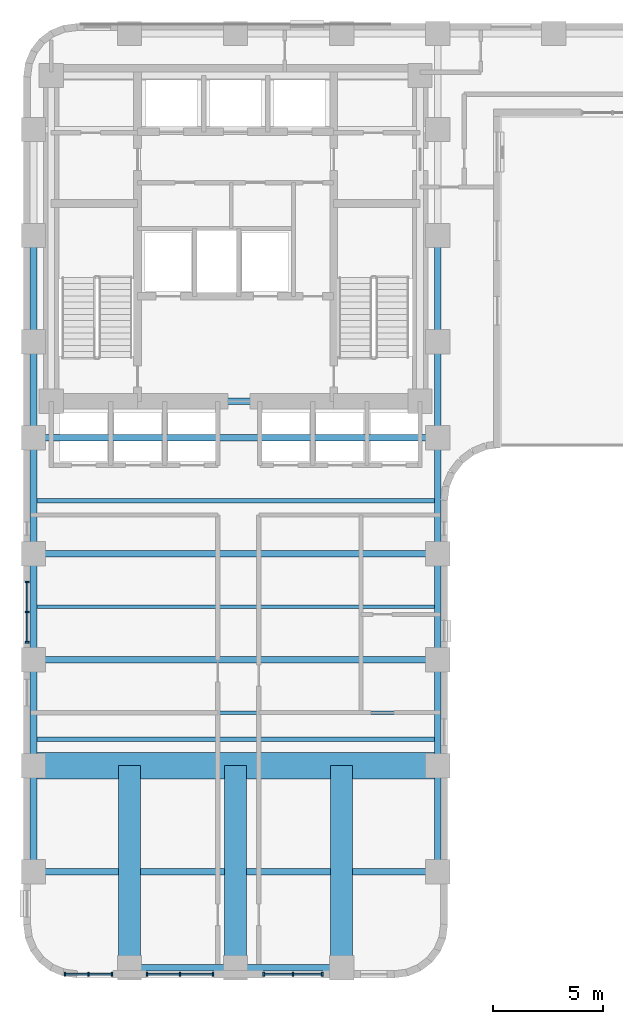
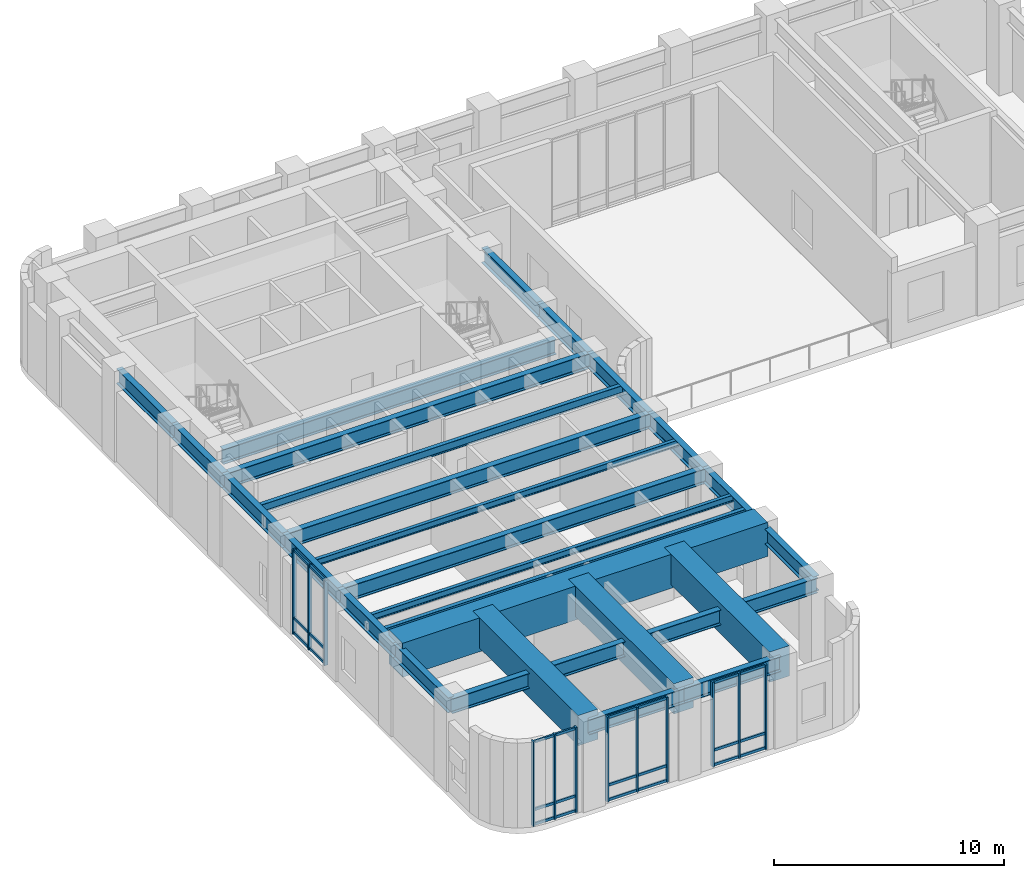
# One storey, part 2 of 12: 36 members, 27 beams, 4 elements without a shape of their own.
"""IFC4 building model written with IfcOpenShell, lengths in metres."""

from ifc_helpers import new_model, si_unit, direction, frame, origin, origin_2d, place, context, subcontext, project, spatial, rectangle, i_section, extrude, material, material_profile, profile_set, type_object, element, aggregate, save


model = new_model("IFC4")

# Units and contexts
model_context = context("Model", 3, precision=1e-05, world=origin(), true_north=direction((0.0, 1.0)))
body_context = subcontext(model_context, "Body", "Model", "MODEL_VIEW")
ifc_project = project(units=[si_unit("LENGTHUNIT", "METRE"), si_unit("AREAUNIT", "SQUARE_METRE"), si_unit("VOLUMEUNIT", "CUBIC_METRE"), si_unit("PLANEANGLEUNIT", "RADIAN"), si_unit("MASSUNIT", "GRAM", prefix="KILO")], contexts=[model_context])

# Site, building, storey
site_placement = place(None, origin())
site = spatial("IfcSite", under=ifc_project, at=site_placement, CompositionType="ELEMENT")
building_placement = place(site_placement, origin())
building = spatial("IfcBuilding", under=site, at=building_placement, Name="Orvandelia Arch Residences", CompositionType="ELEMENT")
storey_placement = place(building_placement, frame((0.0, 0.0, 97.0)))
storey = spatial("IfcBuildingStorey", under=building, at=storey_placement, Name="L25", CompositionType="ELEMENT", Elevation=97.0)

# Beams
ifc_material_1 = material(Name="Structural Steel SM355 (355 MPa)", Category="steel")
ifc_material_profile_1 = material_profile(ifc_material_1, i_section(OverallWidth=0.199951171875, OverallDepth=0.449951171875, WebThickness=0.009033203125, FlangeThickness=0.013916015625, FilletRadius=0.01806640625, at=origin_2d()), Name="Structural Steel SM355 (355 MPa)", Category="steel")
ifc_profile_set_1 = profile_set([ifc_material_profile_1], Name="Structural Steel SM355 (355 MPa)")
beam_type_1 = type_object("IfcBeamType", Name="BM-BAL-H450", PredefinedType="BEAM", material=ifc_profile_set_1)
for number, where, z_axis, x_axis, name in (
    (1, (5.25, 15.60009765625, 4.27490234375), (1.0, 0.0, 0.0), (0.0, 1.0, 0.0), "Sky-Deck Edge Steel Beam L25-BB1"),
    (2, (5.25, 26.39990234375, 4.27490234375), (1.0, 0.0, 0.0), (0.0, 1.0, 0.0), "Sky-Deck Edge Steel Beam L25-BB2"),
):
    element("IfcBeam", number, at=place(storey_placement, frame(where, z_axis=z_axis, x_axis=x_axis)), inside=storey, type_object=beam_type_1, Name=name, PredefinedType="BEAM", context=body_context, shape_type="SweptSolid", body=[
        extrude(i_section(OverallWidth=0.199951171875, OverallDepth=0.449951171875, WebThickness=0.009033203125, FlangeThickness=0.013916015625, FilletRadius=0.01806640625, at=origin_2d()), origin(), (0.0, 0.0, 1.0), 18.300048828125),
    ])
ifc_material_profile_2 = material_profile(ifc_material_1, i_section(OverallWidth=0.300048828125, OverallDepth=0.800048828125, WebThickness=0.013916015625, FlangeThickness=0.02587890625, FilletRadius=0.02587890625, at=origin_2d()), Name="Structural Steel SM355 (355 MPa)", Category="steel")
ifc_profile_set_2 = profile_set([ifc_material_profile_2], Name="Structural Steel SM355 (355 MPa)")
beam_type_2 = type_object("IfcBeamType", Name="BM-GRD-H800", PredefinedType="BEAM", material=ifc_profile_set_2)
beam_1_placement = place(storey_placement, frame((5.25, 9.60009765625, 4.10009765625), z_axis=(0.0, 1.0, 0.0), x_axis=(-1.0, 0.0, 0.0)))
element("IfcBeam", 3, at=beam_1_placement, inside=storey, type_object=beam_type_2, Name="Structural Frame Beam L25-NS-001", PredefinedType="BEAM", context=body_context, shape_type="SweptSolid", body=[
    extrude(i_section(OverallWidth=0.300048828125, OverallDepth=0.800048828125, WebThickness=0.013916015625, FlangeThickness=0.02587890625, FilletRadius=0.02587890625, at=origin_2d()), origin(), (0.0, 0.0, 1.0), 4.7998046875),
])
for number, where, z_axis, x_axis, name in (
    (4, (5.25, 14.39990234375, 4.10009765625), (0.0, 1.0, 0.0), (-1.0, 0.0, 0.0), "Structural Frame Beam L25-NS-002"),
    (5, (5.25, 19.199951171875, 4.10009765625), (0.0, 1.0, 0.0), (-1.0, 0.0, 0.0), "Structural Frame Beam L25-NS-003"),
):
    element("IfcBeam", number, at=place(storey_placement, frame(where, z_axis=z_axis, x_axis=x_axis)), inside=storey, type_object=beam_type_2, Name=name, PredefinedType="BEAM", context=body_context, shape_type="SweptSolid", body=[
        extrude(i_section(OverallWidth=0.300048828125, OverallDepth=0.800048828125, WebThickness=0.013916015625, FlangeThickness=0.02587890625, FilletRadius=0.02587890625, at=origin_2d()), origin(), (0.0, 0.0, 1.0), 4.800048828125),
    ])
beam_2_placement = place(storey_placement, frame((5.25, 24.0, 4.10009765625), z_axis=(0.0, 1.0, 0.0), x_axis=(-1.0, 0.0, 0.0)))
element("IfcBeam", 6, at=beam_2_placement, inside=storey, type_object=beam_type_2, Name="Structural Frame Beam L25-NS-004", PredefinedType="BEAM", context=body_context, shape_type="SweptSolid", body=[
    extrude(i_section(OverallWidth=0.300048828125, OverallDepth=0.800048828125, WebThickness=0.013916015625, FlangeThickness=0.02587890625, FilletRadius=0.02587890625, at=origin_2d()), origin(), (0.0, 0.0, 1.0), 5.25),
])
beam_3_placement = place(storey_placement, frame((5.25, 29.25, 4.10009765625), z_axis=(0.0, 1.0, 0.0), x_axis=(-1.0, 0.0, 0.0)))
element("IfcBeam", 7, at=beam_3_placement, inside=storey, type_object=beam_type_2, Name="Structural Frame Beam L25-NS-005", PredefinedType="BEAM", context=body_context, shape_type="SweptSolid", body=[
    extrude(i_section(OverallWidth=0.300048828125, OverallDepth=0.800048828125, WebThickness=0.013916015625, FlangeThickness=0.02587890625, FilletRadius=0.02587890625, at=origin_2d()), origin(), (0.0, 0.0, 1.0), 4.35009765625),
])
for number, where, z_axis, x_axis, name in (
    (8, (5.25, 33.60009765625, 4.10009765625), (0.0, 1.0, 0.0), (-1.0, 0.0, 0.0), "Structural Frame Beam L25-NS-006"),
    (9, (23.550048828125, 9.60009765625, 4.10009765625), (0.0, 1.0, 0.0), (-1.0, 0.0, 0.0), "Structural Frame Beam L25-NS-010"),
):
    element("IfcBeam", number, at=place(storey_placement, frame(where, z_axis=z_axis, x_axis=x_axis)), inside=storey, type_object=beam_type_2, Name=name, PredefinedType="BEAM", context=body_context, shape_type="SweptSolid", body=[
        extrude(i_section(OverallWidth=0.300048828125, OverallDepth=0.800048828125, WebThickness=0.013916015625, FlangeThickness=0.02587890625, FilletRadius=0.02587890625, at=origin_2d()), origin(), (0.0, 0.0, 1.0), 4.7998046875),
    ])
for number, where, z_axis, x_axis, name in (
    (10, (23.550048828125, 14.39990234375, 4.10009765625), (0.0, 1.0, 0.0), (-1.0, 0.0, 0.0), "Structural Frame Beam L25-NS-011"),
    (11, (23.550048828125, 19.199951171875, 4.10009765625), (0.0, 1.0, 0.0), (-1.0, 0.0, 0.0), "Structural Frame Beam L25-NS-012"),
):
    element("IfcBeam", number, at=place(storey_placement, frame(where, z_axis=z_axis, x_axis=x_axis)), inside=storey, type_object=beam_type_2, Name=name, PredefinedType="BEAM", context=body_context, shape_type="SweptSolid", body=[
        extrude(i_section(OverallWidth=0.300048828125, OverallDepth=0.800048828125, WebThickness=0.013916015625, FlangeThickness=0.02587890625, FilletRadius=0.02587890625, at=origin_2d()), origin(), (0.0, 0.0, 1.0), 4.800048828125),
    ])
beam_4_placement = place(storey_placement, frame((23.550048828125, 24.0, 4.10009765625), z_axis=(0.0, 1.0, 0.0), x_axis=(-1.0, 0.0, 0.0)))
element("IfcBeam", 12, at=beam_4_placement, inside=storey, type_object=beam_type_2, Name="Structural Frame Beam L25-NS-013", PredefinedType="BEAM", context=body_context, shape_type="SweptSolid", body=[
    extrude(i_section(OverallWidth=0.300048828125, OverallDepth=0.800048828125, WebThickness=0.013916015625, FlangeThickness=0.02587890625, FilletRadius=0.02587890625, at=origin_2d()), origin(), (0.0, 0.0, 1.0), 5.25),
])
beam_5_placement = place(storey_placement, frame((23.550048828125, 29.25, 4.10009765625), z_axis=(0.0, 1.0, 0.0), x_axis=(-1.0, 0.0, 0.0)))
element("IfcBeam", 13, at=beam_5_placement, inside=storey, type_object=beam_type_2, Name="Structural Frame Beam L25-NS-014", PredefinedType="BEAM", context=body_context, shape_type="SweptSolid", body=[
    extrude(i_section(OverallWidth=0.300048828125, OverallDepth=0.800048828125, WebThickness=0.013916015625, FlangeThickness=0.02587890625, FilletRadius=0.02587890625, at=origin_2d()), origin(), (0.0, 0.0, 1.0), 4.35009765625),
])
for number, where, z_axis, x_axis, name in (
    (14, (23.550048828125, 33.60009765625, 4.10009765625), (0.0, 1.0, 0.0), (-1.0, 0.0, 0.0), "Structural Frame Beam L25-NS-015"),
    (15, (9.60009765625, 5.25, 4.10009765625), (1.0, 0.0, 0.0), (0.0, 1.0, 0.0), "Structural Frame Girder L25-EW-024"),
):
    element("IfcBeam", number, at=place(storey_placement, frame(where, z_axis=z_axis, x_axis=x_axis)), inside=storey, type_object=beam_type_2, Name=name, PredefinedType="BEAM", context=body_context, shape_type="SweptSolid", body=[
        extrude(i_section(OverallWidth=0.300048828125, OverallDepth=0.800048828125, WebThickness=0.013916015625, FlangeThickness=0.02587890625, FilletRadius=0.02587890625, at=origin_2d()), origin(), (0.0, 0.0, 1.0), 4.7998046875),
    ])
beam_6_placement = place(storey_placement, frame((14.39990234375, 5.25, 4.10009765625), z_axis=(1.0, 0.0, 0.0), x_axis=(0.0, 1.0, 0.0)))
element("IfcBeam", 16, at=beam_6_placement, inside=storey, type_object=beam_type_2, Name="Structural Frame Girder L25-EW-025", PredefinedType="BEAM", context=body_context, shape_type="SweptSolid", body=[
    extrude(i_section(OverallWidth=0.300048828125, OverallDepth=0.800048828125, WebThickness=0.013916015625, FlangeThickness=0.02587890625, FilletRadius=0.02587890625, at=origin_2d()), origin(), (0.0, 0.0, 1.0), 4.800048828125),
])
for number, where, z_axis, x_axis, name in (
    (17, (5.25, 9.60009765625, 4.10009765625), (1.0, 0.0, 0.0), (0.0, 1.0, 0.0), "Structural Frame Girder L25-EW-026"),
    (18, (5.25, 19.199951171875, 4.10009765625), (1.0, 0.0, 0.0), (0.0, 1.0, 0.0), "Structural Frame Girder L25-EW-028"),
    (19, (5.25, 24.0, 4.10009765625), (1.0, 0.0, 0.0), (0.0, 1.0, 0.0), "Structural Frame Girder L25-EW-029"),
    (20, (5.25, 29.25, 4.10009765625), (1.0, 0.0, 0.0), (0.0, 1.0, 0.0), "Structural Frame Girder L25-EW-030"),
):
    element("IfcBeam", number, at=place(storey_placement, frame(where, z_axis=z_axis, x_axis=x_axis)), inside=storey, type_object=beam_type_2, Name=name, PredefinedType="BEAM", context=body_context, shape_type="SweptSolid", body=[
        extrude(i_section(OverallWidth=0.300048828125, OverallDepth=0.800048828125, WebThickness=0.013916015625, FlangeThickness=0.02587890625, FilletRadius=0.02587890625, at=origin_2d()), origin(), (0.0, 0.0, 1.0), 18.300048828125),
    ])
beam_7_placement = place(storey_placement, frame((6.050048828125, 30.89990234375, 4.10009765625), z_axis=(1.0, 0.0, 0.0), x_axis=(0.0, 1.0, 0.0)))
element("IfcBeam", 21, at=beam_7_placement, inside=storey, type_object=beam_type_2, Name="Structural Frame Girder L25-EW-033", PredefinedType="BEAM", context=body_context, shape_type="SweptSolid", body=[
    extrude(i_section(OverallWidth=0.300048828125, OverallDepth=0.800048828125, WebThickness=0.013916015625, FlangeThickness=0.02587890625, FilletRadius=0.02587890625, at=origin_2d()), origin(), (0.0, 0.0, 1.0), 16.699951171875),
])
ifc_material_profile_3 = material_profile(ifc_material_1, i_section(OverallWidth=0.175048828125, OverallDepth=0.35009765625, WebThickness=0.007080078125, FlangeThickness=0.010986328125, FilletRadius=0.012939453125, at=origin_2d()), Name="Structural Steel SM355 (355 MPa)", Category="steel")
ifc_profile_set_3 = profile_set([ifc_material_profile_3], Name="Structural Steel SM355 (355 MPa)")
beam_type_3 = type_object("IfcBeamType", Name="BM-JST-H350", PredefinedType="JOIST", material=ifc_profile_set_3)
for number, where, z_axis, x_axis, name in (
    (22, (5.25, 16.800048828125, 4.324951171875), (1.0, 0.0, 0.0), (0.0, 1.0, 0.0), "Composite Floor Joist L25-J1"),
    (23, (5.25, 21.60009765625, 4.324951171875), (1.0, 0.0, 0.0), (0.0, 1.0, 0.0), "Composite Floor Joist L25-J2"),
):
    element("IfcBeam", number, at=place(storey_placement, frame(where, z_axis=z_axis, x_axis=x_axis)), inside=storey, type_object=beam_type_3, Name=name, PredefinedType="JOIST", context=body_context, shape_type="SweptSolid", body=[
        extrude(i_section(OverallWidth=0.175048828125, OverallDepth=0.35009765625, WebThickness=0.007080078125, FlangeThickness=0.010986328125, FilletRadius=0.012939453125, at=origin_2d()), origin(), (0.0, 0.0, 1.0), 18.300048828125),
    ])

# Curtain wall, members
ifc_material_2 = material(Name="Anodised Bronze Curtain Wall Assembly")
curtain_wall_type = type_object("IfcCurtainWallType", Name="CW-SYS3-SKY", PredefinedType="NOTDEFINED", material=ifc_material_2)
curtain_wall_1_placement = place(storey_placement, origin())
curtain_wall_1 = element("IfcCurtainWall", 24, at=curtain_wall_1_placement, inside=storey, type_object=curtain_wall_type, Name="Sky Lobby South Curtain Wall L25 1", PredefinedType="NOTDEFINED")
ifc_material_3 = material(Name="Anodised Aluminium Alloy 6063-T6", Category="aluminium")
ifc_material_profile_4 = material_profile(ifc_material_3, rectangle(XDim=0.080078125, YDim=0.179931640625, at=origin_2d()), Name="Anodised Aluminium Alloy 6063-T6", Category="aluminium")
ifc_profile_set_4 = profile_set([ifc_material_profile_4], Name="Anodised Aluminium Alloy 6063-T6")
member_type_1 = type_object("IfcMemberType", Name="CW-MULLION-80x160", PredefinedType="MULLION", material=ifc_profile_set_4)
member_1_placement = place(storey_placement, frame((6.679931640625, 4.9599609375, 0.0), z_axis=(0.0, 0.0, 1.0), x_axis=(1.0, 0.0, 0.0)))
member_1 = element("IfcMember", 25, at=member_1_placement, type_object=member_type_1, Name="Curtain Wall Mullion CW-L25-1-M1", PredefinedType="MULLION", context=body_context, shape_type="SweptSolid", body=[
    extrude(rectangle(XDim=0.080078125, YDim=0.179931640625, at=origin_2d()), origin(), (0.0, 0.0, 1.0), 4.5),
])
member_2_placement = place(storey_placement, frame((7.7451171875, 4.9599609375, 0.0), z_axis=(0.0, 0.0, 1.0), x_axis=(1.0, 0.0, 0.0)))
member_2 = element("IfcMember", 26, at=member_2_placement, type_object=member_type_1, Name="Curtain Wall Mullion CW-L25-1-M2", PredefinedType="MULLION", context=body_context, shape_type="SweptSolid", body=[
    extrude(rectangle(XDim=0.080078125, YDim=0.179931640625, at=origin_2d()), origin(), (0.0, 0.0, 1.0), 4.5),
])
member_3_placement = place(storey_placement, frame((8.81005859375, 4.9599609375, 0.0), z_axis=(0.0, 0.0, 1.0), x_axis=(1.0, 0.0, 0.0)))
member_3 = element("IfcMember", 27, at=member_3_placement, type_object=member_type_1, Name="Curtain Wall Mullion CW-L25-1-M3", PredefinedType="MULLION", context=body_context, shape_type="SweptSolid", body=[
    extrude(rectangle(XDim=0.080078125, YDim=0.179931640625, at=origin_2d()), origin(), (0.0, 0.0, 1.0), 4.5),
])

curtain_wall_2_placement = place(storey_placement, origin())
curtain_wall_2 = element("IfcCurtainWall", 28, at=curtain_wall_2_placement, inside=storey, type_object=curtain_wall_type, Name="Sky Lobby South Curtain Wall L25 2", PredefinedType="NOTDEFINED")
member_4_placement = place(storey_placement, frame((10.389892578125, 4.9599609375, 0.0), z_axis=(0.0, 0.0, 1.0), x_axis=(1.0, 0.0, 0.0)))
member_4 = element("IfcMember", 29, at=member_4_placement, type_object=member_type_1, Name="Curtain Wall Mullion CW-L25-2-M1", PredefinedType="MULLION", context=body_context, shape_type="SweptSolid", body=[
    extrude(rectangle(XDim=0.080078125, YDim=0.179931640625, at=origin_2d()), origin(), (0.0, 0.0, 1.0), 4.5),
])
member_5_placement = place(storey_placement, frame((11.885009765625, 4.9599609375, 0.0), z_axis=(0.0, 0.0, 1.0), x_axis=(1.0, 0.0, 0.0)))
member_5 = element("IfcMember", 30, at=member_5_placement, type_object=member_type_1, Name="Curtain Wall Mullion CW-L25-2-M2", PredefinedType="MULLION", context=body_context, shape_type="SweptSolid", body=[
    extrude(rectangle(XDim=0.080078125, YDim=0.179931640625, at=origin_2d()), origin(), (0.0, 0.0, 1.0), 4.5),
])
member_6_placement = place(storey_placement, frame((13.3798828125, 4.9599609375, 0.0), z_axis=(0.0, 0.0, 1.0), x_axis=(1.0, 0.0, 0.0)))
member_6 = element("IfcMember", 31, at=member_6_placement, type_object=member_type_1, Name="Curtain Wall Mullion CW-L25-2-M3", PredefinedType="MULLION", context=body_context, shape_type="SweptSolid", body=[
    extrude(rectangle(XDim=0.080078125, YDim=0.179931640625, at=origin_2d()), origin(), (0.0, 0.0, 1.0), 4.5),
])

curtain_wall_3_placement = place(storey_placement, origin())
curtain_wall_3 = element("IfcCurtainWall", 32, at=curtain_wall_3_placement, inside=storey, type_object=curtain_wall_type, Name="Sky Lobby South Curtain Wall L25 3", PredefinedType="NOTDEFINED")
member_7_placement = place(storey_placement, frame((15.669921875, 4.9599609375, 0.0), z_axis=(0.0, 0.0, 1.0), x_axis=(1.0, 0.0, 0.0)))
member_7 = element("IfcMember", 33, at=member_7_placement, type_object=member_type_1, Name="Curtain Wall Mullion CW-L25-3-M1", PredefinedType="MULLION", context=body_context, shape_type="SweptSolid", body=[
    extrude(rectangle(XDim=0.080078125, YDim=0.179931640625, at=origin_2d()), origin(), (0.0, 0.0, 1.0), 4.5),
])
member_8_placement = place(storey_placement, frame((16.9951171875, 4.9599609375, 0.0), z_axis=(0.0, 0.0, 1.0), x_axis=(1.0, 0.0, 0.0)))
member_8 = element("IfcMember", 34, at=member_8_placement, type_object=member_type_1, Name="Curtain Wall Mullion CW-L25-3-M2", PredefinedType="MULLION", context=body_context, shape_type="SweptSolid", body=[
    extrude(rectangle(XDim=0.080078125, YDim=0.179931640625, at=origin_2d()), origin(), (0.0, 0.0, 1.0), 4.5),
])
member_9_placement = place(storey_placement, frame((18.320068359375, 4.9599609375, 0.0), z_axis=(0.0, 0.0, 1.0), x_axis=(1.0, 0.0, 0.0)))
member_9 = element("IfcMember", 35, at=member_9_placement, type_object=member_type_1, Name="Curtain Wall Mullion CW-L25-3-M3", PredefinedType="MULLION", context=body_context, shape_type="SweptSolid", body=[
    extrude(rectangle(XDim=0.080078125, YDim=0.179931640625, at=origin_2d()), origin(), (0.0, 0.0, 1.0), 4.5),
])

curtain_wall_4_placement = place(storey_placement, origin())
curtain_wall_4 = element("IfcCurtainWall", 36, at=curtain_wall_4_placement, inside=storey, type_object=curtain_wall_type, Name="Sky Lobby West Curtain Wall L25 4", PredefinedType="NOTDEFINED")
member_10_placement = place(storey_placement, frame((4.9599609375, 19.989990234375, 0.0), z_axis=(0.0, 0.0, 1.0), x_axis=(0.0, 1.0, 0.0)))
member_10 = element("IfcMember", 37, at=member_10_placement, type_object=member_type_1, Name="Curtain Wall Mullion CW-L25-4-M1", PredefinedType="MULLION", context=body_context, shape_type="SweptSolid", body=[
    extrude(rectangle(XDim=0.080078125, YDim=0.179931640625, at=origin_2d()), origin(), (0.0, 0.0, 1.0), 4.5),
])
member_11_placement = place(storey_placement, frame((4.9599609375, 21.35498046875, 0.0), z_axis=(0.0, 0.0, 1.0), x_axis=(0.0, 1.0, 0.0)))
member_11 = element("IfcMember", 38, at=member_11_placement, type_object=member_type_1, Name="Curtain Wall Mullion CW-L25-4-M2", PredefinedType="MULLION", context=body_context, shape_type="SweptSolid", body=[
    extrude(rectangle(XDim=0.080078125, YDim=0.179931640625, at=origin_2d()), origin(), (0.0, 0.0, 1.0), 4.5),
])
member_12_placement = place(storey_placement, frame((4.9599609375, 22.719970703125, 0.0), z_axis=(0.0, 0.0, 1.0), x_axis=(0.0, 1.0, 0.0)))
member_12 = element("IfcMember", 39, at=member_12_placement, type_object=member_type_1, Name="Curtain Wall Mullion CW-L25-4-M3", PredefinedType="MULLION", context=body_context, shape_type="SweptSolid", body=[
    extrude(rectangle(XDim=0.080078125, YDim=0.179931640625, at=origin_2d()), origin(), (0.0, 0.0, 1.0), 4.5),
])

# Member
ifc_material_profile_5 = material_profile(ifc_material_3, rectangle(XDim=0.080078125, YDim=0.139892578125, at=origin_2d()), Name="Anodised Aluminium Alloy 6063-T6", Category="aluminium")
ifc_profile_set_5 = profile_set([ifc_material_profile_5], Name="Anodised Aluminium Alloy 6063-T6")
member_type_2 = type_object("IfcMemberType", Name="CW-TRANSOM-80x140", PredefinedType="USERDEFINED", material=ifc_profile_set_5)
member_13_placement = place(storey_placement, frame((6.705078125, 4.9599609375, 0.070068359375), z_axis=(1.0, 0.0, 0.0), x_axis=(0.0, 1.0, 0.0)))
member_13 = element("IfcMember", 40, at=member_13_placement, type_object=member_type_2, Name="Curtain Wall Transom CW-L25-1-T1-1", ObjectType="TRANSOM", PredefinedType="USERDEFINED", context=body_context, shape_type="SweptSolid", body=[
    extrude(rectangle(XDim=0.080078125, YDim=0.139892578125, at=origin_2d()), origin(), (0.0, 0.0, 1.0), 1.014892578125),
])

member_14_placement = place(storey_placement, frame((6.705078125, 4.9599609375, 0.85009765625), z_axis=(1.0, 0.0, 0.0), x_axis=(0.0, 1.0, 0.0)))
member_14 = element("IfcMember", 41, at=member_14_placement, type_object=member_type_2, Name="Curtain Wall Transom CW-L25-1-T1-2", ObjectType="TRANSOM", PredefinedType="USERDEFINED", context=body_context, shape_type="SweptSolid", body=[
    extrude(rectangle(XDim=0.080078125, YDim=0.139892578125, at=origin_2d()), origin(), (0.0, 0.0, 1.0), 1.014892578125),
])

member_15_placement = place(storey_placement, frame((6.705078125, 4.9599609375, 4.429931640625), z_axis=(1.0, 0.0, 0.0), x_axis=(0.0, 1.0, 0.0)))
member_15 = element("IfcMember", 42, at=member_15_placement, type_object=member_type_2, Name="Curtain Wall Transom CW-L25-1-T1-3", ObjectType="TRANSOM", PredefinedType="USERDEFINED", context=body_context, shape_type="SweptSolid", body=[
    extrude(rectangle(XDim=0.080078125, YDim=0.139892578125, at=origin_2d()), origin(), (0.0, 0.0, 1.0), 1.014892578125),
])

member_16_placement = place(storey_placement, frame((7.77001953125, 4.9599609375, 0.070068359375), z_axis=(1.0, 0.0, 0.0), x_axis=(0.0, 1.0, 0.0)))
member_16 = element("IfcMember", 43, at=member_16_placement, type_object=member_type_2, Name="Curtain Wall Transom CW-L25-1-T2-1", ObjectType="TRANSOM", PredefinedType="USERDEFINED", context=body_context, shape_type="SweptSolid", body=[
    extrude(rectangle(XDim=0.080078125, YDim=0.139892578125, at=origin_2d()), origin(), (0.0, 0.0, 1.0), 1.014892578125),
])

member_17_placement = place(storey_placement, frame((7.77001953125, 4.9599609375, 0.85009765625), z_axis=(1.0, 0.0, 0.0), x_axis=(0.0, 1.0, 0.0)))
member_17 = element("IfcMember", 44, at=member_17_placement, type_object=member_type_2, Name="Curtain Wall Transom CW-L25-1-T2-2", ObjectType="TRANSOM", PredefinedType="USERDEFINED", context=body_context, shape_type="SweptSolid", body=[
    extrude(rectangle(XDim=0.080078125, YDim=0.139892578125, at=origin_2d()), origin(), (0.0, 0.0, 1.0), 1.014892578125),
])

member_18_placement = place(storey_placement, frame((7.77001953125, 4.9599609375, 4.429931640625), z_axis=(1.0, 0.0, 0.0), x_axis=(0.0, 1.0, 0.0)))
member_18 = element("IfcMember", 45, at=member_18_placement, type_object=member_type_2, Name="Curtain Wall Transom CW-L25-1-T2-3", ObjectType="TRANSOM", PredefinedType="USERDEFINED", context=body_context, shape_type="SweptSolid", body=[
    extrude(rectangle(XDim=0.080078125, YDim=0.139892578125, at=origin_2d()), origin(), (0.0, 0.0, 1.0), 1.014892578125),
])

aggregate(curtain_wall_1, [member_1, member_2, member_3, member_13, member_14, member_15, member_16, member_17, member_18])

member_19_placement = place(storey_placement, frame((10.4150390625, 4.9599609375, 0.070068359375), z_axis=(1.0, 0.0, 0.0), x_axis=(0.0, 1.0, 0.0)))
member_19 = element("IfcMember", 46, at=member_19_placement, type_object=member_type_2, Name="Curtain Wall Transom CW-L25-2-T1-1", ObjectType="TRANSOM", PredefinedType="USERDEFINED", context=body_context, shape_type="SweptSolid", body=[
    extrude(rectangle(XDim=0.080078125, YDim=0.139892578125, at=origin_2d()), origin(), (0.0, 0.0, 1.0), 1.445068359375),
])

member_20_placement = place(storey_placement, frame((10.4150390625, 4.9599609375, 0.85009765625), z_axis=(1.0, 0.0, 0.0), x_axis=(0.0, 1.0, 0.0)))
member_20 = element("IfcMember", 47, at=member_20_placement, type_object=member_type_2, Name="Curtain Wall Transom CW-L25-2-T1-2", ObjectType="TRANSOM", PredefinedType="USERDEFINED", context=body_context, shape_type="SweptSolid", body=[
    extrude(rectangle(XDim=0.080078125, YDim=0.139892578125, at=origin_2d()), origin(), (0.0, 0.0, 1.0), 1.445068359375),
])

member_21_placement = place(storey_placement, frame((10.4150390625, 4.9599609375, 4.429931640625), z_axis=(1.0, 0.0, 0.0), x_axis=(0.0, 1.0, 0.0)))
member_21 = element("IfcMember", 48, at=member_21_placement, type_object=member_type_2, Name="Curtain Wall Transom CW-L25-2-T1-3", ObjectType="TRANSOM", PredefinedType="USERDEFINED", context=body_context, shape_type="SweptSolid", body=[
    extrude(rectangle(XDim=0.080078125, YDim=0.139892578125, at=origin_2d()), origin(), (0.0, 0.0, 1.0), 1.445068359375),
])

member_22_placement = place(storey_placement, frame((11.909912109375, 4.9599609375, 0.070068359375), z_axis=(1.0, 0.0, 0.0), x_axis=(0.0, 1.0, 0.0)))
member_22 = element("IfcMember", 49, at=member_22_placement, type_object=member_type_2, Name="Curtain Wall Transom CW-L25-2-T2-1", ObjectType="TRANSOM", PredefinedType="USERDEFINED", context=body_context, shape_type="SweptSolid", body=[
    extrude(rectangle(XDim=0.080078125, YDim=0.139892578125, at=origin_2d()), origin(), (0.0, 0.0, 1.0), 1.445068359375),
])

member_23_placement = place(storey_placement, frame((11.909912109375, 4.9599609375, 0.85009765625), z_axis=(1.0, 0.0, 0.0), x_axis=(0.0, 1.0, 0.0)))
member_23 = element("IfcMember", 50, at=member_23_placement, type_object=member_type_2, Name="Curtain Wall Transom CW-L25-2-T2-2", ObjectType="TRANSOM", PredefinedType="USERDEFINED", context=body_context, shape_type="SweptSolid", body=[
    extrude(rectangle(XDim=0.080078125, YDim=0.139892578125, at=origin_2d()), origin(), (0.0, 0.0, 1.0), 1.445068359375),
])

member_24_placement = place(storey_placement, frame((11.909912109375, 4.9599609375, 4.429931640625), z_axis=(1.0, 0.0, 0.0), x_axis=(0.0, 1.0, 0.0)))
member_24 = element("IfcMember", 51, at=member_24_placement, type_object=member_type_2, Name="Curtain Wall Transom CW-L25-2-T2-3", ObjectType="TRANSOM", PredefinedType="USERDEFINED", context=body_context, shape_type="SweptSolid", body=[
    extrude(rectangle(XDim=0.080078125, YDim=0.139892578125, at=origin_2d()), origin(), (0.0, 0.0, 1.0), 1.445068359375),
])

aggregate(curtain_wall_2, [member_4, member_5, member_6, member_19, member_20, member_21, member_22, member_23, member_24])

member_25_placement = place(storey_placement, frame((15.695068359375, 4.9599609375, 0.070068359375), z_axis=(1.0, 0.0, 0.0), x_axis=(0.0, 1.0, 0.0)))
member_25 = element("IfcMember", 52, at=member_25_placement, type_object=member_type_2, Name="Curtain Wall Transom CW-L25-3-T1-1", ObjectType="TRANSOM", PredefinedType="USERDEFINED", context=body_context, shape_type="SweptSolid", body=[
    extrude(rectangle(XDim=0.080078125, YDim=0.139892578125, at=origin_2d()), origin(), (0.0, 0.0, 1.0), 1.27490234375),
])

member_26_placement = place(storey_placement, frame((15.695068359375, 4.9599609375, 0.85009765625), z_axis=(1.0, 0.0, 0.0), x_axis=(0.0, 1.0, 0.0)))
member_26 = element("IfcMember", 53, at=member_26_placement, type_object=member_type_2, Name="Curtain Wall Transom CW-L25-3-T1-2", ObjectType="TRANSOM", PredefinedType="USERDEFINED", context=body_context, shape_type="SweptSolid", body=[
    extrude(rectangle(XDim=0.080078125, YDim=0.139892578125, at=origin_2d()), origin(), (0.0, 0.0, 1.0), 1.27490234375),
])

member_27_placement = place(storey_placement, frame((15.695068359375, 4.9599609375, 4.429931640625), z_axis=(1.0, 0.0, 0.0), x_axis=(0.0, 1.0, 0.0)))
member_27 = element("IfcMember", 54, at=member_27_placement, type_object=member_type_2, Name="Curtain Wall Transom CW-L25-3-T1-3", ObjectType="TRANSOM", PredefinedType="USERDEFINED", context=body_context, shape_type="SweptSolid", body=[
    extrude(rectangle(XDim=0.080078125, YDim=0.139892578125, at=origin_2d()), origin(), (0.0, 0.0, 1.0), 1.27490234375),
])

member_28_placement = place(storey_placement, frame((17.02001953125, 4.9599609375, 0.070068359375), z_axis=(1.0, 0.0, 0.0), x_axis=(0.0, 1.0, 0.0)))
member_28 = element("IfcMember", 55, at=member_28_placement, type_object=member_type_2, Name="Curtain Wall Transom CW-L25-3-T2-1", ObjectType="TRANSOM", PredefinedType="USERDEFINED", context=body_context, shape_type="SweptSolid", body=[
    extrude(rectangle(XDim=0.080078125, YDim=0.139892578125, at=origin_2d()), origin(), (0.0, 0.0, 1.0), 1.27490234375),
])

member_29_placement = place(storey_placement, frame((17.02001953125, 4.9599609375, 0.85009765625), z_axis=(1.0, 0.0, 0.0), x_axis=(0.0, 1.0, 0.0)))
member_29 = element("IfcMember", 56, at=member_29_placement, type_object=member_type_2, Name="Curtain Wall Transom CW-L25-3-T2-2", ObjectType="TRANSOM", PredefinedType="USERDEFINED", context=body_context, shape_type="SweptSolid", body=[
    extrude(rectangle(XDim=0.080078125, YDim=0.139892578125, at=origin_2d()), origin(), (0.0, 0.0, 1.0), 1.27490234375),
])

member_30_placement = place(storey_placement, frame((17.02001953125, 4.9599609375, 4.429931640625), z_axis=(1.0, 0.0, 0.0), x_axis=(0.0, 1.0, 0.0)))
member_30 = element("IfcMember", 57, at=member_30_placement, type_object=member_type_2, Name="Curtain Wall Transom CW-L25-3-T2-3", ObjectType="TRANSOM", PredefinedType="USERDEFINED", context=body_context, shape_type="SweptSolid", body=[
    extrude(rectangle(XDim=0.080078125, YDim=0.139892578125, at=origin_2d()), origin(), (0.0, 0.0, 1.0), 1.27490234375),
])

aggregate(curtain_wall_3, [member_7, member_8, member_9, member_25, member_26, member_27, member_28, member_29, member_30])

member_31_placement = place(storey_placement, frame((4.9599609375, 20.014892578125, 0.070068359375), z_axis=(0.0, 1.0, 0.0), x_axis=(-1.0, 0.0, 0.0)))
member_31 = element("IfcMember", 58, at=member_31_placement, type_object=member_type_2, Name="Curtain Wall Transom CW-L25-4-T1-1", ObjectType="TRANSOM", PredefinedType="USERDEFINED", context=body_context, shape_type="SweptSolid", body=[
    extrude(rectangle(XDim=0.080078125, YDim=0.139892578125, at=origin_2d()), origin(), (0.0, 0.0, 1.0), 1.315185546875),
])

member_32_placement = place(storey_placement, frame((4.9599609375, 20.014892578125, 0.85009765625), z_axis=(0.0, 1.0, 0.0), x_axis=(-1.0, 0.0, 0.0)))
member_32 = element("IfcMember", 59, at=member_32_placement, type_object=member_type_2, Name="Curtain Wall Transom CW-L25-4-T1-2", ObjectType="TRANSOM", PredefinedType="USERDEFINED", context=body_context, shape_type="SweptSolid", body=[
    extrude(rectangle(XDim=0.080078125, YDim=0.139892578125, at=origin_2d()), origin(), (0.0, 0.0, 1.0), 1.315185546875),
])

member_33_placement = place(storey_placement, frame((4.9599609375, 20.014892578125, 4.429931640625), z_axis=(0.0, 1.0, 0.0), x_axis=(-1.0, 0.0, 0.0)))
member_33 = element("IfcMember", 60, at=member_33_placement, type_object=member_type_2, Name="Curtain Wall Transom CW-L25-4-T1-3", ObjectType="TRANSOM", PredefinedType="USERDEFINED", context=body_context, shape_type="SweptSolid", body=[
    extrude(rectangle(XDim=0.080078125, YDim=0.139892578125, at=origin_2d()), origin(), (0.0, 0.0, 1.0), 1.315185546875),
])

member_34_placement = place(storey_placement, frame((4.9599609375, 21.3798828125, 0.070068359375), z_axis=(0.0, 1.0, 0.0), x_axis=(-1.0, 0.0, 0.0)))
member_34 = element("IfcMember", 61, at=member_34_placement, type_object=member_type_2, Name="Curtain Wall Transom CW-L25-4-T2-1", ObjectType="TRANSOM", PredefinedType="USERDEFINED", context=body_context, shape_type="SweptSolid", body=[
    extrude(rectangle(XDim=0.080078125, YDim=0.139892578125, at=origin_2d()), origin(), (0.0, 0.0, 1.0), 1.315185546875),
])

member_35_placement = place(storey_placement, frame((4.9599609375, 21.3798828125, 0.85009765625), z_axis=(0.0, 1.0, 0.0), x_axis=(-1.0, 0.0, 0.0)))
member_35 = element("IfcMember", 62, at=member_35_placement, type_object=member_type_2, Name="Curtain Wall Transom CW-L25-4-T2-2", ObjectType="TRANSOM", PredefinedType="USERDEFINED", context=body_context, shape_type="SweptSolid", body=[
    extrude(rectangle(XDim=0.080078125, YDim=0.139892578125, at=origin_2d()), origin(), (0.0, 0.0, 1.0), 1.315185546875),
])

member_36_placement = place(storey_placement, frame((4.9599609375, 21.3798828125, 4.429931640625), z_axis=(0.0, 1.0, 0.0), x_axis=(-1.0, 0.0, 0.0)))
member_36 = element("IfcMember", 63, at=member_36_placement, type_object=member_type_2, Name="Curtain Wall Transom CW-L25-4-T2-3", ObjectType="TRANSOM", PredefinedType="USERDEFINED", context=body_context, shape_type="SweptSolid", body=[
    extrude(rectangle(XDim=0.080078125, YDim=0.139892578125, at=origin_2d()), origin(), (0.0, 0.0, 1.0), 1.315185546875),
])

aggregate(curtain_wall_4, [member_10, member_11, member_12, member_31, member_32, member_33, member_34, member_35, member_36])

# Beams
ifc_material_4 = material(Name="Concrete C80/95", Category="concrete")
ifc_material_profile_6 = material_profile(ifc_material_4, rectangle(XDim=1.199951171875, YDim=1.800048828125, at=origin_2d()), Name="Concrete C80/95", Category="concrete")
ifc_profile_set_6 = profile_set([ifc_material_profile_6], Name="Concrete C80/95")
beam_type_4 = type_object("IfcBeamType", Name="TG-ARCH-1200x1800", PredefinedType="USERDEFINED", material=ifc_profile_set_6)
beam_8_placement = place(storey_placement, frame((5.25, 14.39990234375, 3.89990234375), z_axis=(1.0, 0.0, 0.0), x_axis=(0.0, 1.0, 0.0)))
element("IfcBeam", 64, at=beam_8_placement, inside=storey, type_object=beam_type_4, Name="Setback Cross Transfer Girder L25", ObjectType="TRANSFER GIRDER", PredefinedType="USERDEFINED", context=body_context, shape_type="SweptSolid", body=[
    extrude(rectangle(XDim=1.199951171875, YDim=1.800048828125, at=origin_2d()), origin(), (0.0, 0.0, 1.0), 18.300048828125),
])
ifc_material_5 = material(Name="Concrete C60/75", Category="concrete")
ifc_material_profile_7 = material_profile(ifc_material_5, rectangle(XDim=1.0, YDim=1.60009765625, at=origin_2d()), Name="Concrete C60/75", Category="concrete")
ifc_profile_set_7 = profile_set([ifc_material_profile_7], Name="Concrete C60/75")
beam_type_5 = type_object("IfcBeamType", Name="TG-PORTAL-1000x1600", PredefinedType="USERDEFINED", material=ifc_profile_set_7)
for number, where, z_axis, x_axis, name in (
    (65, (9.60009765625, 5.25, 4.0), (0.0, 1.0, 0.0), (-1.0, 0.0, 0.0), "Setback Transfer Girder L25"),
    (66, (14.39990234375, 5.25, 4.0), (0.0, 1.0, 0.0), (-1.0, 0.0, 0.0), "Setback Transfer Girder L25"),
    (67, (19.199951171875, 5.25, 4.0), (0.0, 1.0, 0.0), (-1.0, 0.0, 0.0), "Setback Transfer Girder L25"),
):
    element("IfcBeam", number, at=place(storey_placement, frame(where, z_axis=z_axis, x_axis=x_axis)), inside=storey, type_object=beam_type_5, Name=name, ObjectType="TRANSFER GIRDER", PredefinedType="USERDEFINED", context=body_context, shape_type="SweptSolid", body=[
        extrude(rectangle(XDim=1.0, YDim=1.60009765625, at=origin_2d()), origin(), (0.0, 0.0, 1.0), 9.14990234375),
    ])

save(model, "model.ifc")
